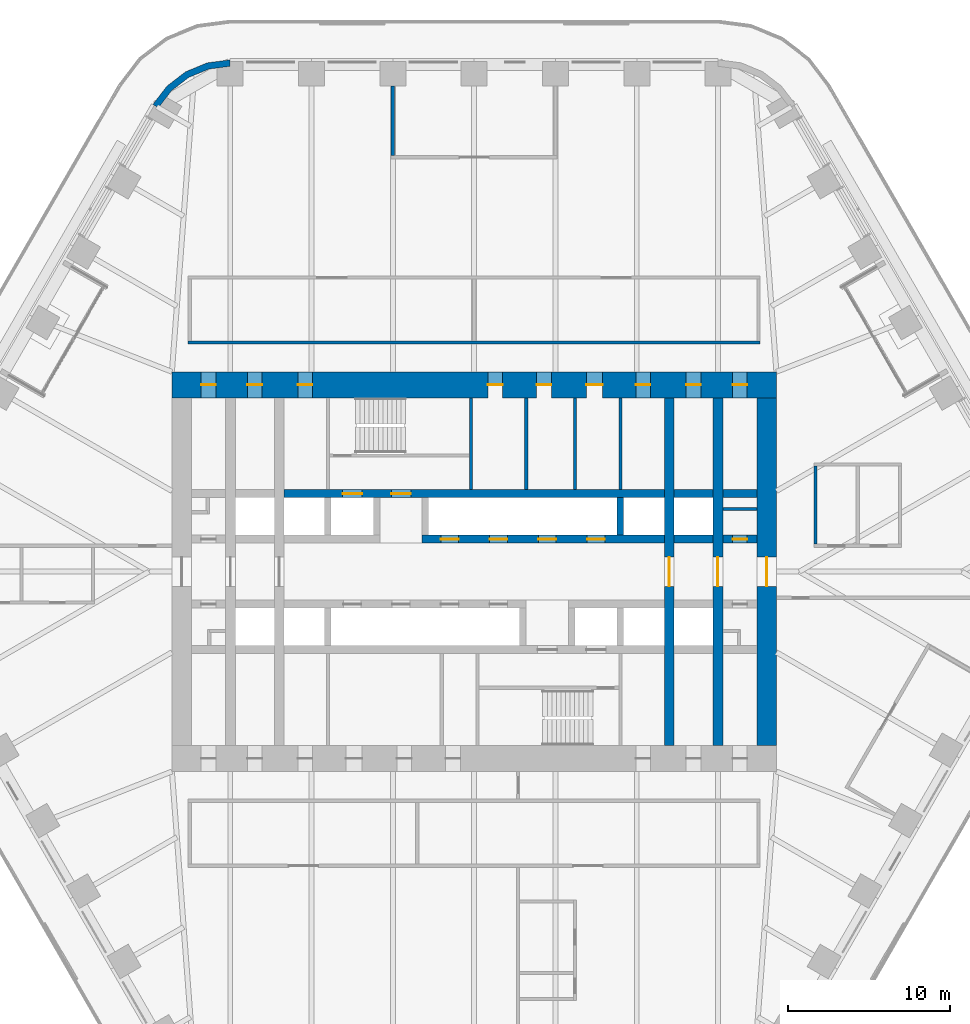
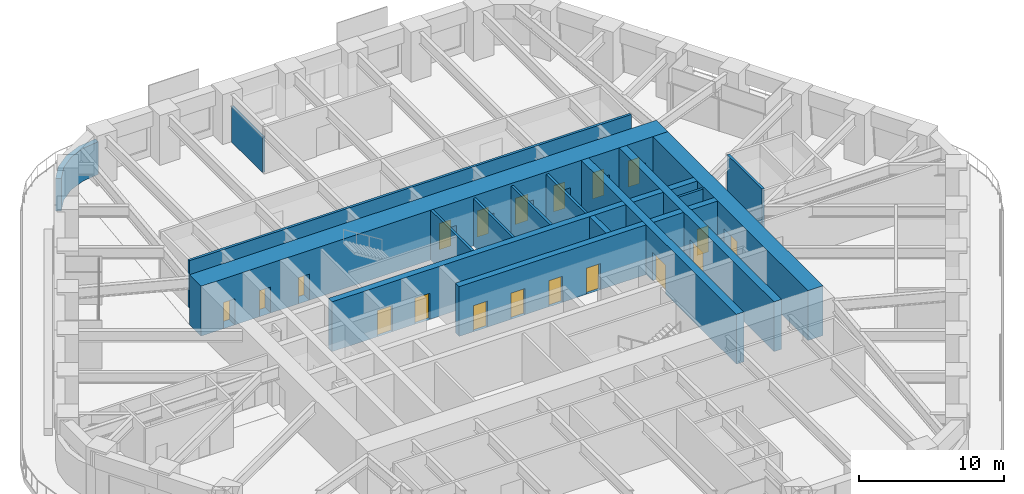
# One storey, part 20 of 24: 20 walls, 19 doors, 19 openings.
"""IFC4 building model written with IfcOpenShell, lengths in metres."""

from ifc_helpers import new_model, si_unit, direction, frame, frame_2d, origin, place, context, subcontext, project, spatial, polyline, rectangle, outline, extrude, material, layer, layer_set, type_object, element, fill, save


model = new_model("IFC4")

# Units and contexts
model_context = context("Model", 3, precision=1e-05, world=origin(), true_north=direction((0.0, 1.0)))
body_context = subcontext(model_context, "Body", "Model", "MODEL_VIEW")
ifc_project = project(units=[si_unit("LENGTHUNIT", "METRE"), si_unit("AREAUNIT", "SQUARE_METRE"), si_unit("VOLUMEUNIT", "CUBIC_METRE"), si_unit("PLANEANGLEUNIT", "RADIAN"), si_unit("MASSUNIT", "GRAM", prefix="KILO")], contexts=[model_context])

# Site, building, storey
site_placement = place(None, origin())
site = spatial("IfcSite", under=ifc_project, at=site_placement, CompositionType="ELEMENT")
building_placement = place(site_placement, origin())
building = spatial("IfcBuilding", under=site, at=building_placement, Name="Tarfa Lantern Tower", CompositionType="ELEMENT")
storey_placement = place(building_placement, frame((0.0, 0.0, 157.300048828125)))
storey = spatial("IfcBuildingStorey", under=building, at=storey_placement, Name="L35", CompositionType="ELEMENT", Elevation=157.300048828125)

# Walls
ifc_material_1 = material(Name="Limestone cladding on blockwork", Category="masonry")
ifc_layer_1 = layer(ifc_material_1, 0.39990234375)
ifc_layer_set_1 = layer_set([ifc_layer_1], Name="EW2 CURVED STONE CORNER 400")
wall_type_1 = type_object("IfcWallType", Name="EW2 CURVED STONE CORNER 400", PredefinedType="SOLIDWALL", material=ifc_layer_set_1)
wall_1_placement = place(storey_placement, origin())
element("IfcWall", 1, at=wall_1_placement, inside=storey, type_object=wall_type_1, Name="Stone corner N-NW", PredefinedType="SOLIDWALL", context=body_context, shape_type="SweptSolid", body=[
    extrude(outline(polyline([(-15.010986328125, 31.5), (-16.4345703125, 31.3125), (-17.760986328125, 30.76318359375), (-18.900146484375, 29.88916015625), (-19.774169921875, 28.75), (-19.427734375, 28.550048828125), (-18.617431640625, 29.606201171875), (-17.56103515625, 30.416748046875), (-16.3310546875, 30.92626953125), (-15.010986328125, 31.10009765625), (-15.010986328125, 31.5)])), origin(), (0.0, 0.0, 1.0), 2.75),
])
ifc_material_2 = material(Name="Concrete blockwork", Category="masonry")
ifc_layer_2 = layer(ifc_material_2, 0.199951171875)
ifc_layer_set_2 = layer_set([ifc_layer_2], Name="IW1 BLOCKWORK PARTITION 200 EI 120")
wall_type_2 = type_object("IfcWallType", Name="IW1 BLOCKWORK PARTITION 200 EI 120", PredefinedType="PARTITIONING", material=ifc_layer_set_2)
for number, where, z_axis, x_axis, name in (
    (2, (9.0, 5.050048828125, 0.0), (0.0, 0.0, 1.0), (0.0, 1.0, 0.0), "Core partition"),
    (3, (3.199951171875, 5.050048828125, 0.0), (0.0, 0.0, 1.0), (0.0, 1.0, 0.0), "Core partition"),
    (4, (6.199951171875, 5.050048828125, 0.0), (0.0, 0.0, 1.0), (0.0, 1.0, 0.0), "Core partition"),
):
    element("IfcWall", number, at=place(storey_placement, frame(where, z_axis=z_axis, x_axis=x_axis)), inside=storey, type_object=wall_type_2, Name=name, PredefinedType="PARTITIONING", context=body_context, shape_type="SweptSolid", body=[
        extrude(rectangle(XDim=5.64990234375, YDim=0.199951171875, at=frame_2d((2.824951171875, 0.0))), origin(), (0.0, 0.0, 1.0), 4.0),
    ])
wall_2_placement = place(storey_placement, frame((15.300048828125, 3.85009765625, 0.0), z_axis=(0.0, 0.0, 1.0), x_axis=(1.0, 0.0, 0.0)))
element("IfcWall", 5, at=wall_2_placement, inside=storey, type_object=wall_type_2, Name="Core partition", PredefinedType="PARTITIONING", context=body_context, shape_type="SweptSolid", body=[
    extrude(rectangle(XDim=2.099853515625, YDim=0.199951171875, at=frame_2d((1.0498046875, 0.0))), origin(), (0.0, 0.0, 1.0), 4.0),
])
ifc_material_3 = material(Name="Gypsum board on steel studs", Category="steel")
ifc_layer_3 = layer(ifc_material_3, 0.2099609375)
ifc_layer_set_3 = layer_set([ifc_layer_3], Name="IW2 ACOUSTIC PARTITION 200")
wall_type_3 = type_object("IfcWallType", Name="IW2 ACOUSTIC PARTITION 200", PredefinedType="PARTITIONING", material=ifc_layer_set_3)
wall_3_placement = place(storey_placement, frame((-17.60009765625, 14.10009765625, 0.0), z_axis=(0.0, 0.0, 1.0), x_axis=(1.0, 0.0, 0.0)))
element("IfcWall", 6, at=wall_3_placement, inside=storey, type_object=wall_type_3, Name="Partition", PredefinedType="PARTITIONING", context=body_context, shape_type="SweptSolid", body=[
    extrude(rectangle(XDim=35.2001953125, YDim=0.199951171875, at=frame_2d((17.60009765625, 0.0))), origin(), (0.0, 0.0, 1.0), 4.0),
])
wall_4_placement = place(storey_placement, frame((-5.003662109375, 25.60009765625, 0.0), z_axis=(0.0, 0.0, 1.0), x_axis=(0.0, 1.0, 0.0)))
element("IfcWall", 7, at=wall_4_placement, inside=storey, type_object=wall_type_3, Name="Partition", PredefinedType="PARTITIONING", context=body_context, shape_type="SweptSolid", body=[
    extrude(rectangle(XDim=4.2998046875, YDim=0.199951171875, at=frame_2d((2.14990234375, 0.0))), origin(), (0.0, 0.0, 1.0), 2.991943359375),
])
wall_5_placement = place(storey_placement, frame((21.0, 1.699951171875, 0.0), z_axis=(0.0, 0.0, 1.0), x_axis=(0.0, 1.0, 0.0)))
element("IfcWall", 8, at=wall_5_placement, inside=storey, type_object=wall_type_3, Name="Partition", PredefinedType="PARTITIONING", context=body_context, shape_type="SweptSolid", body=[
    extrude(rectangle(XDim=4.800048828125, YDim=0.199951171875, at=frame_2d((2.39990234375, 0.0))), origin(), (0.0, 0.0, 1.0), 4.0),
])

# Wall, opening, door
ifc_material_4 = material(Name="Concrete C80/95", Category="concrete")
ifc_layer_4 = layer(ifc_material_4, 1.199951171875)
ifc_layer_set_4 = layer_set([ifc_layer_4], Name="SW1 CORE WALL 1200")
wall_type_4 = type_object("IfcWallType", Name="SW1 CORE WALL 1200", PredefinedType="SHEAR", material=ifc_layer_set_4)
wall_6_placement = place(storey_placement, frame((18.0, -10.699951171875, 0.0), z_axis=(0.0, 0.0, 1.0), x_axis=(0.0, 1.0, 0.0)))
wall_6 = element("IfcWall", 9, at=wall_6_placement, inside=storey, type_object=wall_type_4, Name="Core wall E", PredefinedType="SHEAR", context=body_context, shape_type="SweptSolid", body=[
    extrude(rectangle(XDim=21.39990234375, YDim=1.199951171875, at=frame_2d((10.699951171875, 0.0))), origin(), (0.0, 0.0, 1.0), 4.199951171875),
])
opening_1_placement = place(wall_6_placement, frame((9.800048828125, 0.0, 0.0)))
opening_1 = element("IfcOpeningElement", 10, at=opening_1_placement, cuts=wall_6, Name="Opening D15", PredefinedType="OPENING", context=body_context, shape_type="SweptSolid", body=[
    extrude(rectangle(XDim=1.800048828125, YDim=2.39990234375, at=frame_2d((0.89990234375, 1.199951171875))), frame((0.0, 0.60986328125, 0.0), z_axis=(0.0, -1.0, 0.0), x_axis=(1.0, 0.0, 0.0)), (0.0, 0.0, 1.0), 1.219970703125),
])
ifc_material_5 = material(Name="Steel fire door", Category="steel")
door_type_1 = type_object("IfcDoorType", Name="DL1 LOBBY DOOR 1800x2400", OperationType="DOUBLE_DOOR_SINGLE_SWING", PredefinedType="DOOR", material=ifc_material_5)
door_1_placement = place(opening_1_placement, frame((1.800048828125, 0.0, 0.0), z_axis=(0.0, 0.0, 1.0), x_axis=(-1.0, 0.0, 0.0)))
door_1 = element("IfcDoor", 11, at=door_1_placement, inside=storey, type_object=door_type_1, Name="Lift lobby door", OperationType="DOUBLE_DOOR_SINGLE_SWING", OverallHeight=2.39990234375, OverallWidth=1.800048828125, PredefinedType="DOOR", context=body_context, shape_type="SweptSolid", body=[
    extrude(rectangle(XDim=1.800048828125, YDim=2.39990234375, at=frame_2d((0.89990234375, 1.199951171875))), frame((0.0, 0.02490234375, 0.0), z_axis=(0.0, -1.0, 0.0), x_axis=(1.0, 0.0, 0.0)), (0.0, 0.0, 1.0), 0.050048828125),
])
fill(opening_1, door_1)

# Wall
ifc_layer_5 = layer(ifc_material_4, 0.199951171875)
ifc_layer_set_5 = layer_set([ifc_layer_5], Name="SW12 CORE WALL 200")
wall_type_5 = type_object("IfcWallType", Name="SW12 CORE WALL 200", PredefinedType="SHEAR", material=ifc_layer_set_5)
wall_7_placement = place(storey_placement, frame((-0.199951171875, 5.050048828125, 0.0), z_axis=(0.0, 0.0, 1.0), x_axis=(0.0, 1.0, 0.0)))
element("IfcWall", 12, at=wall_7_placement, inside=storey, type_object=wall_type_5, Name="Core wall stair shaft N", PredefinedType="SHEAR", context=body_context, shape_type="SweptSolid", body=[
    extrude(rectangle(XDim=5.64990234375, YDim=0.199951171875, at=frame_2d((2.824951171875, 0.0))), origin(), (0.0, 0.0, 1.0), 4.199951171875),
])

# Wall, openings, doors
ifc_layer_6 = layer(ifc_material_4, 0.5)
ifc_layer_set_6 = layer_set([ifc_layer_6], Name="SW5 CORE WALL 500")
wall_type_6 = type_object("IfcWallType", Name="SW5 CORE WALL 500", PredefinedType="SHEAR", material=ifc_layer_set_6)
wall_8_placement = place(storey_placement, frame((-3.199951171875, 2.0, 0.0), z_axis=(0.0, 0.0, 1.0), x_axis=(1.0, 0.0, 0.0)))
wall_8 = element("IfcWall", 13, at=wall_8_placement, inside=storey, type_object=wall_type_6, Name="Core wall lobby east N", PredefinedType="SHEAR", context=body_context, shape_type="SweptSolid", body=[
    extrude(rectangle(XDim=14.89990234375, YDim=0.5, at=frame_2d((7.449951171875, 0.0))), origin(), (0.0, 0.0, 1.0), 4.199951171875),
])
opening_2_placement = place(wall_8_placement, frame((1.14990234375, 0.0, 0.0)))
opening_2 = element("IfcOpeningElement", 14, at=opening_2_placement, cuts=wall_8, Name="Opening LD03", PredefinedType="OPENING", context=body_context, shape_type="SweptSolid", body=[
    extrude(rectangle(XDim=1.10009765625, YDim=2.199951171875, at=frame_2d((0.550048828125, 1.10009765625))), frame((0.0, 0.260009765625, 0.0), z_axis=(0.0, -1.0, 0.0), x_axis=(1.0, 0.0, 0.0)), (0.0, 0.0, 1.0), 0.52001953125),
])
opening_3_placement = place(wall_8_placement, frame((4.14990234375, 0.0, 0.0)))
opening_3 = element("IfcOpeningElement", 15, at=opening_3_placement, cuts=wall_8, Name="Opening LD04", PredefinedType="OPENING", context=body_context, shape_type="SweptSolid", body=[
    extrude(rectangle(XDim=1.10009765625, YDim=2.199951171875, at=frame_2d((0.550048828125, 1.10009765625))), frame((0.0, 0.260009765625, 0.0), z_axis=(0.0, -1.0, 0.0), x_axis=(1.0, 0.0, 0.0)), (0.0, 0.0, 1.0), 0.52001953125),
])
opening_4_placement = place(wall_8_placement, frame((7.14990234375, 0.0, 0.0)))
opening_4 = element("IfcOpeningElement", 16, at=opening_4_placement, cuts=wall_8, Name="Opening LD05", PredefinedType="OPENING", context=body_context, shape_type="SweptSolid", body=[
    extrude(rectangle(XDim=1.10009765625, YDim=2.199951171875, at=frame_2d((0.550048828125, 1.10009765625))), frame((0.0, 0.260009765625, 0.0), z_axis=(0.0, -1.0, 0.0), x_axis=(1.0, 0.0, 0.0)), (0.0, 0.0, 1.0), 0.52001953125),
])
opening_5_placement = place(wall_8_placement, frame((10.14990234375, 0.0, 0.0)))
opening_5 = element("IfcOpeningElement", 17, at=opening_5_placement, cuts=wall_8, Name="Opening LD06", PredefinedType="OPENING", context=body_context, shape_type="SweptSolid", body=[
    extrude(rectangle(XDim=1.10009765625, YDim=2.199951171875, at=frame_2d((0.550048828125, 1.10009765625))), frame((0.0, 0.260009765625, 0.0), z_axis=(0.0, -1.0, 0.0), x_axis=(1.0, 0.0, 0.0)), (0.0, 0.0, 1.0), 0.52001953125),
])
ifc_material_6 = material(Name="Stainless steel lift door", Category="steel")
door_type_2 = type_object("IfcDoorType", Name="LD2 LIFT LANDING DOOR 1100x2200", OperationType="SLIDING_TO_LEFT", PredefinedType="DOOR", material=ifc_material_6)
door_2_placement = place(opening_2_placement, frame((1.10009765625, 0.0, 0.0), z_axis=(0.0, 0.0, 1.0), x_axis=(-1.0, 0.0, 0.0)))
door_2 = element("IfcDoor", 18, at=door_2_placement, inside=storey, type_object=door_type_2, Name="Landing door PB1", OperationType="SLIDING_TO_LEFT", OverallHeight=2.199951171875, OverallWidth=1.10009765625, PredefinedType="DOOR", context=body_context, shape_type="SweptSolid", body=[
    extrude(rectangle(XDim=1.10009765625, YDim=2.199951171875, at=frame_2d((0.550048828125, 1.10009765625))), frame((0.0, 0.02490234375, 0.0), z_axis=(0.0, -1.0, 0.0), x_axis=(1.0, 0.0, 0.0)), (0.0, 0.0, 1.0), 0.050048828125),
])
fill(opening_2, door_2)
door_3_placement = place(opening_3_placement, frame((1.10009765625, 0.0, 0.0), z_axis=(0.0, 0.0, 1.0), x_axis=(-1.0, 0.0, 0.0)))
door_3 = element("IfcDoor", 19, at=door_3_placement, inside=storey, type_object=door_type_2, Name="Landing door PB2", OperationType="SLIDING_TO_LEFT", OverallHeight=2.199951171875, OverallWidth=1.10009765625, PredefinedType="DOOR", context=body_context, shape_type="SweptSolid", body=[
    extrude(rectangle(XDim=1.10009765625, YDim=2.199951171875, at=frame_2d((0.550048828125, 1.10009765625))), frame((0.0, 0.02490234375, 0.0), z_axis=(0.0, -1.0, 0.0), x_axis=(1.0, 0.0, 0.0)), (0.0, 0.0, 1.0), 0.050048828125),
])
fill(opening_3, door_3)
door_4_placement = place(opening_4_placement, frame((1.10009765625, 0.0, 0.0), z_axis=(0.0, 0.0, 1.0), x_axis=(-1.0, 0.0, 0.0)))
door_4 = element("IfcDoor", 20, at=door_4_placement, inside=storey, type_object=door_type_2, Name="Landing door PB3", OperationType="SLIDING_TO_LEFT", OverallHeight=2.199951171875, OverallWidth=1.10009765625, PredefinedType="DOOR", context=body_context, shape_type="SweptSolid", body=[
    extrude(rectangle(XDim=1.10009765625, YDim=2.199951171875, at=frame_2d((0.550048828125, 1.10009765625))), frame((0.0, 0.02490234375, 0.0), z_axis=(0.0, -1.0, 0.0), x_axis=(1.0, 0.0, 0.0)), (0.0, 0.0, 1.0), 0.050048828125),
])
fill(opening_4, door_4)
door_5_placement = place(opening_5_placement, frame((1.10009765625, 0.0, 0.0), z_axis=(0.0, 0.0, 1.0), x_axis=(-1.0, 0.0, 0.0)))
door_5 = element("IfcDoor", 21, at=door_5_placement, inside=storey, type_object=door_type_2, Name="Landing door PB4", OperationType="SLIDING_TO_LEFT", OverallHeight=2.199951171875, OverallWidth=1.10009765625, PredefinedType="DOOR", context=body_context, shape_type="SweptSolid", body=[
    extrude(rectangle(XDim=1.10009765625, YDim=2.199951171875, at=frame_2d((0.550048828125, 1.10009765625))), frame((0.0, 0.02490234375, 0.0), z_axis=(0.0, -1.0, 0.0), x_axis=(1.0, 0.0, 0.0)), (0.0, 0.0, 1.0), 0.050048828125),
])
fill(opening_5, door_5)

# Wall
wall_9_placement = place(storey_placement, frame((12.300048828125, 2.0, 0.0), z_axis=(0.0, 0.0, 1.0), x_axis=(1.0, 0.0, 0.0)))
element("IfcWall", 22, at=wall_9_placement, inside=storey, type_object=wall_type_6, Name="Core wall lobby east N", PredefinedType="SHEAR", context=body_context, shape_type="SweptSolid", body=[
    extrude(rectangle(XDim=2.39990234375, YDim=0.5, at=frame_2d((1.199951171875, 0.0))), origin(), (0.0, 0.0, 1.0), 4.199951171875),
])

# Wall, opening, door
wall_10_placement = place(storey_placement, frame((15.300048828125, 2.0, 0.0), z_axis=(0.0, 0.0, 1.0), x_axis=(1.0, 0.0, 0.0)))
wall_10 = element("IfcWall", 23, at=wall_10_placement, inside=storey, type_object=wall_type_6, Name="Core wall lobby east N", PredefinedType="SHEAR", context=body_context, shape_type="SweptSolid", body=[
    extrude(rectangle(XDim=2.099853515625, YDim=0.5, at=frame_2d((1.0498046875, 0.0))), origin(), (0.0, 0.0, 1.0), 4.199951171875),
])
opening_6_placement = place(wall_10_placement, frame((0.60009765625, 0.0, 0.0)))
opening_6 = element("IfcOpeningElement", 24, at=opening_6_placement, cuts=wall_10, Name="Opening D17", PredefinedType="OPENING", context=body_context, shape_type="SweptSolid", body=[
    extrude(rectangle(XDim=0.89990234375, YDim=2.199951171875, at=frame_2d((0.449951171875, 1.10009765625))), frame((0.0, 0.260009765625, 0.0), z_axis=(0.0, -1.0, 0.0), x_axis=(1.0, 0.0, 0.0)), (0.0, 0.0, 1.0), 0.52001953125),
])
door_type_3 = type_object("IfcDoorType", Name="DF6 SERVICE ROOM DOOR 900x2200", OperationType="SINGLE_SWING_LEFT", PredefinedType="DOOR", material=ifc_material_5)
door_6_placement = place(opening_6_placement, origin())
door_6 = element("IfcDoor", 25, at=door_6_placement, inside=storey, type_object=door_type_3, Name="Service room door", OperationType="SINGLE_SWING_LEFT", OverallHeight=2.199951171875, OverallWidth=0.89990234375, PredefinedType="DOOR", context=body_context, shape_type="SweptSolid", body=[
    extrude(rectangle(XDim=0.89990234375, YDim=2.199951171875, at=frame_2d((0.449951171875, 1.10009765625))), frame((0.0, 0.02490234375, 0.0), z_axis=(0.0, -1.0, 0.0), x_axis=(1.0, 0.0, 0.0)), (0.0, 0.0, 1.0), 0.050048828125),
])
fill(opening_6, door_6)

# Wall, openings, doors
wall_11_placement = place(storey_placement, frame((-11.699951171875, 4.800048828125, 0.0), z_axis=(0.0, 0.0, 1.0), x_axis=(1.0, 0.0, 0.0)))
wall_11 = element("IfcWall", 26, at=wall_11_placement, inside=storey, type_object=wall_type_6, Name="Core wall rear N", PredefinedType="SHEAR", context=body_context, shape_type="SweptSolid", body=[
    extrude(rectangle(XDim=23.39990234375, YDim=0.5, at=frame_2d((11.699951171875, 0.0))), origin(), (0.0, 0.0, 1.0), 4.199951171875),
])
opening_7_placement = place(wall_11_placement, frame((6.60009765625, 0.0, 0.0)))
opening_7 = element("IfcOpeningElement", 27, at=opening_7_placement, cuts=wall_11, Name="Opening D13", PredefinedType="OPENING", context=body_context, shape_type="SweptSolid", body=[
    extrude(rectangle(XDim=1.199951171875, YDim=2.199951171875, at=frame_2d((0.60009765625, 1.10009765625))), frame((0.0, 0.260009765625, 0.0), z_axis=(0.0, -1.0, 0.0), x_axis=(1.0, 0.0, 0.0)), (0.0, 0.0, 1.0), 0.52001953125),
])
opening_8_placement = place(wall_11_placement, frame((3.60009765625, 0.0, 0.0)))
opening_8 = element("IfcOpeningElement", 28, at=opening_8_placement, cuts=wall_11, Name="Opening LD01", PredefinedType="OPENING", context=body_context, shape_type="SweptSolid", body=[
    extrude(rectangle(XDim=1.199951171875, YDim=2.199951171875, at=frame_2d((0.60009765625, 1.10009765625))), frame((0.0, 0.260009765625, 0.0), z_axis=(0.0, -1.0, 0.0), x_axis=(1.0, 0.0, 0.0)), (0.0, 0.0, 1.0), 0.52001953125),
])
door_type_4 = type_object("IfcDoorType", Name="DF1 FIREFIGHTING LOBBY DOOR 1200x2200", OperationType="SINGLE_SWING_LEFT", PredefinedType="DOOR", material=ifc_material_5)
door_7_placement = place(opening_7_placement, origin())
door_7 = element("IfcDoor", 29, at=door_7_placement, inside=storey, type_object=door_type_4, Name="Firefighting lobby door", OperationType="SINGLE_SWING_LEFT", OverallHeight=2.199951171875, OverallWidth=1.199951171875, PredefinedType="DOOR", context=body_context, shape_type="SweptSolid", body=[
    extrude(rectangle(XDim=1.199951171875, YDim=2.199951171875, at=frame_2d((0.60009765625, 1.10009765625))), frame((0.0, 0.02490234375, 0.0), z_axis=(0.0, -1.0, 0.0), x_axis=(1.0, 0.0, 0.0)), (0.0, 0.0, 1.0), 0.050048828125),
])
fill(opening_7, door_7)
door_type_5 = type_object("IfcDoorType", Name="LD1 LIFT LANDING DOOR 1200x2200", OperationType="SLIDING_TO_LEFT", PredefinedType="DOOR", material=ifc_material_6)
door_8_placement = place(opening_8_placement, origin())
door_8 = element("IfcDoor", 30, at=door_8_placement, inside=storey, type_object=door_type_5, Name="Landing door FL1", OperationType="SLIDING_TO_LEFT", OverallHeight=2.199951171875, OverallWidth=1.199951171875, PredefinedType="DOOR", context=body_context, shape_type="SweptSolid", body=[
    extrude(rectangle(XDim=1.199951171875, YDim=2.199951171875, at=frame_2d((0.60009765625, 1.10009765625))), frame((0.0, 0.02490234375, 0.0), z_axis=(0.0, -1.0, 0.0), x_axis=(1.0, 0.0, 0.0)), (0.0, 0.0, 1.0), 0.050048828125),
])
fill(opening_8, door_8)

# Walls
wall_12_placement = place(storey_placement, frame((12.300048828125, 4.800048828125, 0.0), z_axis=(0.0, 0.0, 1.0), x_axis=(1.0, 0.0, 0.0)))
element("IfcWall", 31, at=wall_12_placement, inside=storey, type_object=wall_type_6, Name="Core wall rear N", PredefinedType="SHEAR", context=body_context, shape_type="SweptSolid", body=[
    extrude(rectangle(XDim=2.39990234375, YDim=0.5, at=frame_2d((1.199951171875, 0.0))), origin(), (0.0, 0.0, 1.0), 4.199951171875),
])
wall_13_placement = place(storey_placement, frame((15.300048828125, 4.800048828125, 0.0), z_axis=(0.0, 0.0, 1.0), x_axis=(1.0, 0.0, 0.0)))
element("IfcWall", 32, at=wall_13_placement, inside=storey, type_object=wall_type_6, Name="Core wall rear N", PredefinedType="SHEAR", context=body_context, shape_type="SweptSolid", body=[
    extrude(rectangle(XDim=2.099853515625, YDim=0.5, at=frame_2d((1.0498046875, 0.0))), origin(), (0.0, 0.0, 1.0), 4.199951171875),
])
ifc_layer_7 = layer(ifc_material_4, 0.39990234375)
ifc_layer_set_7 = layer_set([ifc_layer_7], Name="SW6 CORE WALL 400")
wall_type_7 = type_object("IfcWallType", Name="SW6 CORE WALL 400", PredefinedType="SHEAR", material=ifc_layer_set_7)
wall_14_placement = place(storey_placement, frame((9.0, 2.25, 0.0), z_axis=(0.0, 0.0, 1.0), x_axis=(0.0, 1.0, 0.0)))
element("IfcWall", 33, at=wall_14_placement, inside=storey, type_object=wall_type_7, Name="Core wall divider N", PredefinedType="SHEAR", context=body_context, shape_type="SweptSolid", body=[
    extrude(rectangle(XDim=2.300048828125, YDim=0.39990234375, at=frame_2d((1.14990234375, 0.0))), origin(), (0.0, 0.0, 1.0), 4.199951171875),
])

# Wall, openings, doors
ifc_layer_8 = layer(ifc_material_4, 1.60009765625)
ifc_layer_set_8 = layer_set([ifc_layer_8], Name="SW7 CORE WALL 1600")
wall_type_8 = type_object("IfcWallType", Name="SW7 CORE WALL 1600", PredefinedType="SHEAR", material=ifc_layer_set_8)
wall_15_placement = place(storey_placement, frame((-18.60009765625, 11.5, 0.0), z_axis=(0.0, 0.0, 1.0), x_axis=(1.0, 0.0, 0.0)))
wall_15 = element("IfcWall", 34, at=wall_15_placement, inside=storey, type_object=wall_type_8, Name="Core wall N", PredefinedType="SHEAR", context=body_context, shape_type="SweptSolid", body=[
    extrude(rectangle(XDim=37.2001953125, YDim=1.60009765625, at=frame_2d((18.60009765625, 0.0))), origin(), (0.0, 0.0, 1.0), 4.199951171875),
])
opening_9_placement = place(wall_15_placement, frame((19.449951171875, 0.0, 0.0)))
opening_9 = element("IfcOpeningElement", 35, at=opening_9_placement, cuts=wall_15, Name="Opening D21", PredefinedType="OPENING", context=body_context, shape_type="SweptSolid", body=[
    extrude(rectangle(XDim=0.89990234375, YDim=2.199951171875, at=frame_2d((0.449951171875, 1.10009765625))), frame((0.0, 0.81005859375, 0.0), z_axis=(0.0, -1.0, 0.0), x_axis=(1.0, 0.0, 0.0)), (0.0, 0.0, 1.0), 1.6201171875),
])
opening_10_placement = place(wall_15_placement, frame((22.449951171875, 0.0, 0.0)))
opening_10 = element("IfcOpeningElement", 36, at=opening_10_placement, cuts=wall_15, Name="Opening D23", PredefinedType="OPENING", context=body_context, shape_type="SweptSolid", body=[
    extrude(rectangle(XDim=0.89990234375, YDim=2.199951171875, at=frame_2d((0.449951171875, 1.10009765625))), frame((0.0, 0.81005859375, 0.0), z_axis=(0.0, -1.0, 0.0), x_axis=(1.0, 0.0, 0.0)), (0.0, 0.0, 1.0), 1.6201171875),
])
opening_11_placement = place(wall_15_placement, frame((25.5, 0.0, 0.0)))
opening_11 = element("IfcOpeningElement", 37, at=opening_11_placement, cuts=wall_15, Name="Opening D25", PredefinedType="OPENING", context=body_context, shape_type="SweptSolid", body=[
    extrude(rectangle(XDim=1.0, YDim=2.199951171875, at=frame_2d((0.5, 1.10009765625))), frame((0.0, 0.81005859375, 0.0), z_axis=(0.0, -1.0, 0.0), x_axis=(1.0, 0.0, 0.0)), (0.0, 0.0, 1.0), 1.6201171875),
])
opening_12_placement = place(wall_15_placement, frame((1.800048828125, 0.0, 0.0)))
opening_12 = element("IfcOpeningElement", 38, at=opening_12_placement, cuts=wall_15, Name="Opening D11", PredefinedType="OPENING", context=body_context, shape_type="SweptSolid", body=[
    extrude(rectangle(XDim=0.89990234375, YDim=2.199951171875, at=frame_2d((0.449951171875, 1.10009765625))), frame((0.0, 0.81005859375, 0.0), z_axis=(0.0, -1.0, 0.0), x_axis=(1.0, 0.0, 0.0)), (0.0, 0.0, 1.0), 1.6201171875),
])
opening_13_placement = place(wall_15_placement, frame((4.64990234375, 0.0, 0.0)))
opening_13 = element("IfcOpeningElement", 39, at=opening_13_placement, cuts=wall_15, Name="Opening D07", PredefinedType="OPENING", context=body_context, shape_type="SweptSolid", body=[
    extrude(rectangle(XDim=0.89990234375, YDim=2.199951171875, at=frame_2d((0.449951171875, 1.10009765625))), frame((0.0, 0.81005859375, 0.0), z_axis=(0.0, -1.0, 0.0), x_axis=(1.0, 0.0, 0.0)), (0.0, 0.0, 1.0), 1.6201171875),
])
opening_14_placement = place(wall_15_placement, frame((7.75, 0.0, 0.0)))
opening_14 = element("IfcOpeningElement", 40, at=opening_14_placement, cuts=wall_15, Name="Opening D09", PredefinedType="OPENING", context=body_context, shape_type="SweptSolid", body=[
    extrude(rectangle(XDim=0.89990234375, YDim=2.199951171875, at=frame_2d((0.449951171875, 1.10009765625))), frame((0.0, 0.81005859375, 0.0), z_axis=(0.0, -1.0, 0.0), x_axis=(1.0, 0.0, 0.0)), (0.0, 0.0, 1.0), 1.6201171875),
])
opening_15_placement = place(wall_15_placement, frame((28.550048828125, 0.0, 0.0)))
opening_15 = element("IfcOpeningElement", 41, at=opening_15_placement, cuts=wall_15, Name="Opening D05", PredefinedType="OPENING", context=body_context, shape_type="SweptSolid", body=[
    extrude(rectangle(XDim=0.89990234375, YDim=2.199951171875, at=frame_2d((0.449951171875, 1.10009765625))), frame((0.0, 0.81005859375, 0.0), z_axis=(0.0, -1.0, 0.0), x_axis=(1.0, 0.0, 0.0)), (0.0, 0.0, 1.0), 1.6201171875),
])
opening_16_placement = place(wall_15_placement, frame((31.64990234375, 0.0, 0.0)))
opening_16 = element("IfcOpeningElement", 42, at=opening_16_placement, cuts=wall_15, Name="Opening D01", PredefinedType="OPENING", context=body_context, shape_type="SweptSolid", body=[
    extrude(rectangle(XDim=0.89990234375, YDim=2.199951171875, at=frame_2d((0.449951171875, 1.10009765625))), frame((0.0, 0.81005859375, 0.0), z_axis=(0.0, -1.0, 0.0), x_axis=(1.0, 0.0, 0.0)), (0.0, 0.0, 1.0), 1.6201171875),
])
opening_17_placement = place(wall_15_placement, frame((34.5, 0.0, 0.0)))
opening_17 = element("IfcOpeningElement", 43, at=opening_17_placement, cuts=wall_15, Name="Opening D03", PredefinedType="OPENING", context=body_context, shape_type="SweptSolid", body=[
    extrude(rectangle(XDim=0.89990234375, YDim=2.199951171875, at=frame_2d((0.449951171875, 1.10009765625))), frame((0.0, 0.81005859375, 0.0), z_axis=(0.0, -1.0, 0.0), x_axis=(1.0, 0.0, 0.0)), (0.0, 0.0, 1.0), 1.6201171875),
])
door_type_6 = type_object("IfcDoorType", Name="DF3 CORE ROOM DOOR 900x2200", OperationType="SINGLE_SWING_LEFT", PredefinedType="DOOR", material=ifc_material_5)
door_9_placement = place(opening_9_placement, frame((0.89990234375, 0.0, 0.0), z_axis=(0.0, 0.0, 1.0), x_axis=(-1.0, 0.0, 0.0)))
door_9 = element("IfcDoor", 44, at=door_9_placement, inside=storey, type_object=door_type_6, Name="Core door", OperationType="SINGLE_SWING_LEFT", OverallHeight=2.199951171875, OverallWidth=0.89990234375, PredefinedType="DOOR", context=body_context, shape_type="SweptSolid", body=[
    extrude(rectangle(XDim=0.89990234375, YDim=2.199951171875, at=frame_2d((0.449951171875, 1.10009765625))), frame((0.0, 0.02490234375, 0.0), z_axis=(0.0, -1.0, 0.0), x_axis=(1.0, 0.0, 0.0)), (0.0, 0.0, 1.0), 0.050048828125),
])
fill(opening_9, door_9)
door_10_placement = place(opening_10_placement, frame((0.89990234375, 0.0, 0.0), z_axis=(0.0, 0.0, 1.0), x_axis=(-1.0, 0.0, 0.0)))
door_10 = element("IfcDoor", 45, at=door_10_placement, inside=storey, type_object=door_type_6, Name="Core door", OperationType="SINGLE_SWING_LEFT", OverallHeight=2.199951171875, OverallWidth=0.89990234375, PredefinedType="DOOR", context=body_context, shape_type="SweptSolid", body=[
    extrude(rectangle(XDim=0.89990234375, YDim=2.199951171875, at=frame_2d((0.449951171875, 1.10009765625))), frame((0.0, 0.02490234375, 0.0), z_axis=(0.0, -1.0, 0.0), x_axis=(1.0, 0.0, 0.0)), (0.0, 0.0, 1.0), 0.050048828125),
])
fill(opening_10, door_10)
door_type_7 = type_object("IfcDoorType", Name="DF4 CORE ROOM DOOR 1000x2200", OperationType="SINGLE_SWING_LEFT", PredefinedType="DOOR", material=ifc_material_5)
door_11_placement = place(opening_11_placement, frame((1.0, 0.0, 0.0), z_axis=(0.0, 0.0, 1.0), x_axis=(-1.0, 0.0, 0.0)))
door_11 = element("IfcDoor", 46, at=door_11_placement, inside=storey, type_object=door_type_7, Name="Core door", OperationType="SINGLE_SWING_LEFT", OverallHeight=2.199951171875, OverallWidth=1.0, PredefinedType="DOOR", context=body_context, shape_type="SweptSolid", body=[
    extrude(rectangle(XDim=1.0, YDim=2.199951171875, at=frame_2d((0.5, 1.10009765625))), frame((0.0, 0.02490234375, 0.0), z_axis=(0.0, -1.0, 0.0), x_axis=(1.0, 0.0, 0.0)), (0.0, 0.0, 1.0), 0.050048828125),
])
fill(opening_11, door_11)
door_type_8 = type_object("IfcDoorType", Name="DF5 RISER DOOR 900x2200", OperationType="SINGLE_SWING_LEFT", PredefinedType="DOOR", material=ifc_material_5)
door_12_placement = place(opening_12_placement, frame((0.89990234375, 0.0, 0.0), z_axis=(0.0, 0.0, 1.0), x_axis=(-1.0, 0.0, 0.0)))
door_12 = element("IfcDoor", 47, at=door_12_placement, inside=storey, type_object=door_type_8, Name="Riser door", OperationType="SINGLE_SWING_LEFT", OverallHeight=2.199951171875, OverallWidth=0.89990234375, PredefinedType="DOOR", context=body_context, shape_type="SweptSolid", body=[
    extrude(rectangle(XDim=0.89990234375, YDim=2.199951171875, at=frame_2d((0.449951171875, 1.10009765625))), frame((0.0, 0.02490234375, 0.0), z_axis=(0.0, -1.0, 0.0), x_axis=(1.0, 0.0, 0.0)), (0.0, 0.0, 1.0), 0.050048828125),
])
fill(opening_12, door_12)
door_13_placement = place(opening_13_placement, frame((0.89990234375, 0.0, 0.0), z_axis=(0.0, 0.0, 1.0), x_axis=(-1.0, 0.0, 0.0)))
door_13 = element("IfcDoor", 48, at=door_13_placement, inside=storey, type_object=door_type_8, Name="Riser door", OperationType="SINGLE_SWING_LEFT", OverallHeight=2.199951171875, OverallWidth=0.89990234375, PredefinedType="DOOR", context=body_context, shape_type="SweptSolid", body=[
    extrude(rectangle(XDim=0.89990234375, YDim=2.199951171875, at=frame_2d((0.449951171875, 1.10009765625))), frame((0.0, 0.02490234375, 0.0), z_axis=(0.0, -1.0, 0.0), x_axis=(1.0, 0.0, 0.0)), (0.0, 0.0, 1.0), 0.050048828125),
])
fill(opening_13, door_13)
door_14_placement = place(opening_14_placement, frame((0.89990234375, 0.0, 0.0), z_axis=(0.0, 0.0, 1.0), x_axis=(-1.0, 0.0, 0.0)))
door_14 = element("IfcDoor", 49, at=door_14_placement, inside=storey, type_object=door_type_8, Name="Riser door", OperationType="SINGLE_SWING_LEFT", OverallHeight=2.199951171875, OverallWidth=0.89990234375, PredefinedType="DOOR", context=body_context, shape_type="SweptSolid", body=[
    extrude(rectangle(XDim=0.89990234375, YDim=2.199951171875, at=frame_2d((0.449951171875, 1.10009765625))), frame((0.0, 0.02490234375, 0.0), z_axis=(0.0, -1.0, 0.0), x_axis=(1.0, 0.0, 0.0)), (0.0, 0.0, 1.0), 0.050048828125),
])
fill(opening_14, door_14)
door_15_placement = place(opening_15_placement, frame((0.89990234375, 0.0, 0.0), z_axis=(0.0, 0.0, 1.0), x_axis=(-1.0, 0.0, 0.0)))
door_15 = element("IfcDoor", 50, at=door_15_placement, inside=storey, type_object=door_type_8, Name="Riser door", OperationType="SINGLE_SWING_RIGHT", OverallHeight=2.199951171875, OverallWidth=0.89990234375, PredefinedType="DOOR", context=body_context, shape_type="SweptSolid", body=[
    extrude(rectangle(XDim=0.89990234375, YDim=2.199951171875, at=frame_2d((0.449951171875, 1.10009765625))), frame((0.0, 0.02490234375, 0.0), z_axis=(0.0, -1.0, 0.0), x_axis=(1.0, 0.0, 0.0)), (0.0, 0.0, 1.0), 0.050048828125),
])
fill(opening_15, door_15)
door_16_placement = place(opening_16_placement, frame((0.89990234375, 0.0, 0.0), z_axis=(0.0, 0.0, 1.0), x_axis=(-1.0, 0.0, 0.0)))
door_16 = element("IfcDoor", 51, at=door_16_placement, inside=storey, type_object=door_type_8, Name="Riser door", OperationType="SINGLE_SWING_RIGHT", OverallHeight=2.199951171875, OverallWidth=0.89990234375, PredefinedType="DOOR", context=body_context, shape_type="SweptSolid", body=[
    extrude(rectangle(XDim=0.89990234375, YDim=2.199951171875, at=frame_2d((0.449951171875, 1.10009765625))), frame((0.0, 0.02490234375, 0.0), z_axis=(0.0, -1.0, 0.0), x_axis=(1.0, 0.0, 0.0)), (0.0, 0.0, 1.0), 0.050048828125),
])
fill(opening_16, door_16)
door_17_placement = place(opening_17_placement, frame((0.89990234375, 0.0, 0.0), z_axis=(0.0, 0.0, 1.0), x_axis=(-1.0, 0.0, 0.0)))
door_17 = element("IfcDoor", 52, at=door_17_placement, inside=storey, type_object=door_type_8, Name="Riser door", OperationType="SINGLE_SWING_RIGHT", OverallHeight=2.199951171875, OverallWidth=0.89990234375, PredefinedType="DOOR", context=body_context, shape_type="SweptSolid", body=[
    extrude(rectangle(XDim=0.89990234375, YDim=2.199951171875, at=frame_2d((0.449951171875, 1.10009765625))), frame((0.0, 0.02490234375, 0.0), z_axis=(0.0, -1.0, 0.0), x_axis=(1.0, 0.0, 0.0)), (0.0, 0.0, 1.0), 0.050048828125),
])
fill(opening_17, door_17)

# Wall, opening, door
ifc_layer_9 = layer(ifc_material_4, 0.60009765625)
ifc_layer_set_9 = layer_set([ifc_layer_9], Name="SW9 CORE WALL 600")
wall_type_9 = type_object("IfcWallType", Name="SW9 CORE WALL 600", PredefinedType="SHEAR", material=ifc_layer_set_9)
wall_16_placement = place(storey_placement, frame((12.0, -10.699951171875, 0.0), z_axis=(0.0, 0.0, 1.0), x_axis=(0.0, 1.0, 0.0)))
wall_16 = element("IfcWall", 53, at=wall_16_placement, inside=storey, type_object=wall_type_9, Name="Core wall cross 12 m east", PredefinedType="SHEAR", context=body_context, shape_type="SweptSolid", body=[
    extrude(rectangle(XDim=21.39990234375, YDim=0.60009765625, at=frame_2d((10.699951171875, 0.0))), origin(), (0.0, 0.0, 1.0), 4.199951171875),
])
opening_18_placement = place(wall_16_placement, frame((9.800048828125, 0.0, 0.0)))
opening_18 = element("IfcOpeningElement", 54, at=opening_18_placement, cuts=wall_16, Name="Opening D29", PredefinedType="OPENING", context=body_context, shape_type="SweptSolid", body=[
    extrude(rectangle(XDim=1.800048828125, YDim=2.39990234375, at=frame_2d((0.89990234375, 1.199951171875))), frame((0.0, 0.31005859375, 0.0), z_axis=(0.0, -1.0, 0.0), x_axis=(1.0, 0.0, 0.0)), (0.0, 0.0, 1.0), 0.6201171875),
])
door_18_placement = place(opening_18_placement, origin())
door_18 = element("IfcDoor", 55, at=door_18_placement, inside=storey, type_object=door_type_1, Name="Lift lobby door", OperationType="DOUBLE_DOOR_SINGLE_SWING", OverallHeight=2.39990234375, OverallWidth=1.800048828125, PredefinedType="DOOR", context=body_context, shape_type="SweptSolid", body=[
    extrude(rectangle(XDim=1.800048828125, YDim=2.39990234375, at=frame_2d((0.89990234375, 1.199951171875))), frame((0.0, 0.02490234375, 0.0), z_axis=(0.0, -1.0, 0.0), x_axis=(1.0, 0.0, 0.0)), (0.0, 0.0, 1.0), 0.050048828125),
])
fill(opening_18, door_18)

wall_17_placement = place(storey_placement, frame((15.0, -10.699951171875, 0.0), z_axis=(0.0, 0.0, 1.0), x_axis=(0.0, 1.0, 0.0)))
wall_17 = element("IfcWall", 56, at=wall_17_placement, inside=storey, type_object=wall_type_9, Name="Core wall cross 15 m east", PredefinedType="SHEAR", context=body_context, shape_type="SweptSolid", body=[
    extrude(rectangle(XDim=21.39990234375, YDim=0.60009765625, at=frame_2d((10.699951171875, 0.0))), origin(), (0.0, 0.0, 1.0), 4.199951171875),
])
opening_19_placement = place(wall_17_placement, frame((9.800048828125, 0.0, 0.0)))
opening_19 = element("IfcOpeningElement", 57, at=opening_19_placement, cuts=wall_17, Name="Opening D30", PredefinedType="OPENING", context=body_context, shape_type="SweptSolid", body=[
    extrude(rectangle(XDim=1.800048828125, YDim=2.39990234375, at=frame_2d((0.89990234375, 1.199951171875))), frame((0.0, 0.31005859375, 0.0), z_axis=(0.0, -1.0, 0.0), x_axis=(1.0, 0.0, 0.0)), (0.0, 0.0, 1.0), 0.6201171875),
])
door_19_placement = place(opening_19_placement, origin())
door_19 = element("IfcDoor", 58, at=door_19_placement, inside=storey, type_object=door_type_1, Name="Lift lobby door", OperationType="DOUBLE_DOOR_SINGLE_SWING", OverallHeight=2.39990234375, OverallWidth=1.800048828125, PredefinedType="DOOR", context=body_context, shape_type="SweptSolid", body=[
    extrude(rectangle(XDim=1.800048828125, YDim=2.39990234375, at=frame_2d((0.89990234375, 1.199951171875))), frame((0.0, 0.02490234375, 0.0), z_axis=(0.0, -1.0, 0.0), x_axis=(1.0, 0.0, 0.0)), (0.0, 0.0, 1.0), 0.050048828125),
])
fill(opening_19, door_19)

save(model, "model.ifc")
